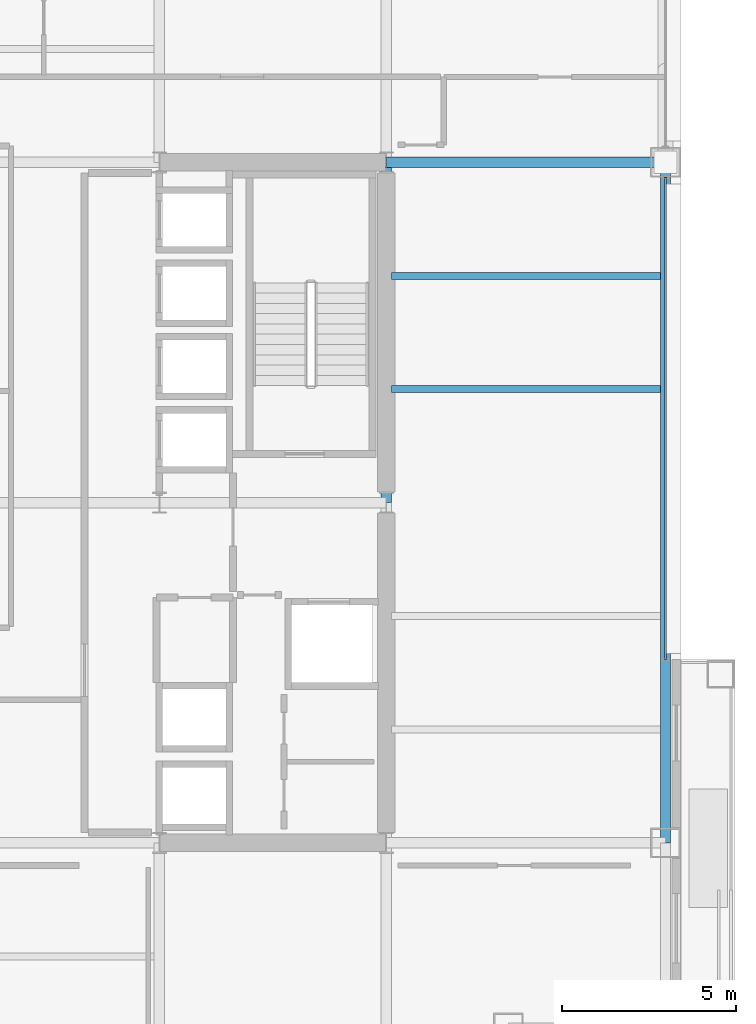
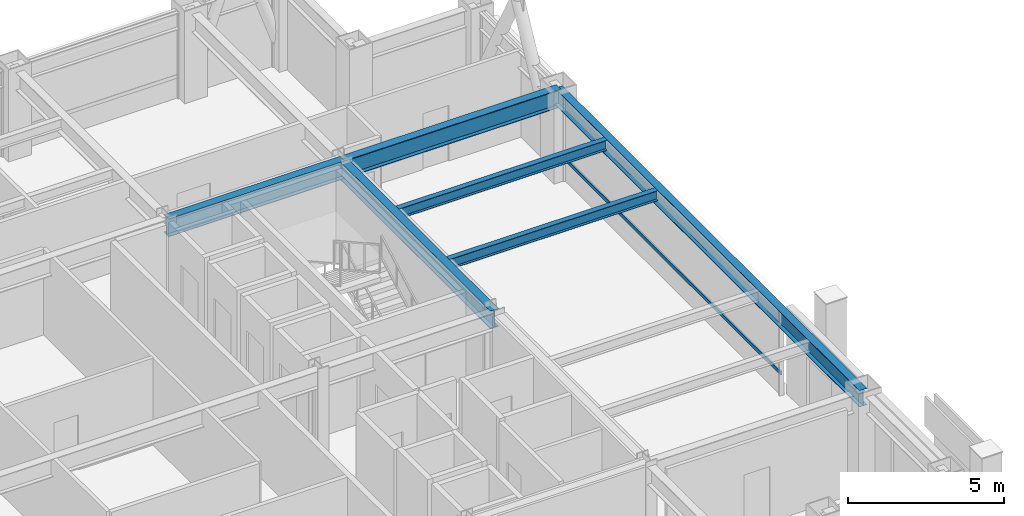
# One storey, part 17 of 34: 6 beams, 1 member, 1 element without a shape of its own.
"""IFC4 building model written with IfcOpenShell, lengths in metres."""

from ifc_helpers import new_model, si_unit, direction, frame, origin, origin_2d, place, context, subcontext, project, spatial, hollow_rectangle, i_section, extrude, material, layer, layer_set, material_profile, profile_set, type_object, element, aggregate, save


model = new_model("IFC4")

# Units and contexts
model_context = context("Model", 3, precision=1e-05, world=origin(), true_north=direction((0.0, 1.0)))
body_context = subcontext(model_context, "Body", "Model", "MODEL_VIEW")
ifc_project = project(units=[si_unit("LENGTHUNIT", "METRE"), si_unit("AREAUNIT", "SQUARE_METRE"), si_unit("VOLUMEUNIT", "CUBIC_METRE"), si_unit("PLANEANGLEUNIT", "RADIAN"), si_unit("MASSUNIT", "GRAM", prefix="KILO")], contexts=[model_context])

# Site, building, storey
site_placement = place(None, origin())
site = spatial("IfcSite", under=ifc_project, at=site_placement, CompositionType="ELEMENT")
building_placement = place(site_placement, origin())
building = spatial("IfcBuilding", under=site, at=building_placement, Name="Brelmoor Portico Tower", CompositionType="ELEMENT")
storey_placement = place(building_placement, frame((0.0, 0.0, 99.0)))
storey = spatial("IfcBuildingStorey", under=building, at=storey_placement, Name="L25", CompositionType="ELEMENT", Elevation=99.0)

# Beams
ifc_material_1 = material(Name="Steel Q355B", Category="steel")
ifc_material_profile_1 = material_profile(ifc_material_1, i_section(OverallWidth=0.199951171875, OverallDepth=0.39990234375, WebThickness=0.008056640625, FlangeThickness=0.012939453125, at=origin_2d()), Name="HN 400x200x8x13")
ifc_profile_set_1 = profile_set([ifc_material_profile_1], Name="Steel Q355B")
beam_type_1 = type_object("IfcBeamType", Name="BM-JS-400", PredefinedType="JOIST", material=ifc_profile_set_1)
for number, where, z_axis, x_axis, name in (
    (1, (14.699951171875, 3.25, 3.199951171875), (1.0, 0.0, 0.0), (0.0, 1.0, 0.0), "L25 Secondary Wing Joist JS-E11"),
    (2, (14.699951171875, 6.5, 3.199951171875), (1.0, 0.0, 0.0), (0.0, 1.0, 0.0), "L25 Secondary Wing Joist JS-E12"),
):
    element("IfcBeam", number, at=place(storey_placement, frame(where, z_axis=z_axis, x_axis=x_axis)), inside=storey, type_object=beam_type_1, Name=name, PredefinedType="JOIST", context=body_context, shape_type="SweptSolid", body=[
        extrude(i_section(OverallWidth=0.199951171875, OverallDepth=0.39990234375, WebThickness=0.008056640625, FlangeThickness=0.012939453125, at=origin_2d()), origin(), (0.0, 0.0, 1.0), 7.7099609375),
    ])
ifc_material_profile_2 = material_profile(ifc_material_1, i_section(OverallWidth=0.300048828125, OverallDepth=0.699951171875, WebThickness=0.012939453125, FlangeThickness=0.02392578125, at=origin_2d()), Name="HN 700x300x13x24")
ifc_profile_set_2 = profile_set([ifc_material_profile_2], Name="Steel Q355B")
beam_type_2 = type_object("IfcBeamType", Name="BM-PG-700", PredefinedType="BEAM", material=ifc_profile_set_2)
beam_1_placement = place(storey_placement, frame((14.550048828125, 0.0, 3.050048828125), z_axis=(0.0, 1.0, 0.0), x_axis=(-1.0, 0.0, 0.0)))
element("IfcBeam", 3, at=beam_1_placement, inside=storey, type_object=beam_type_2, Name="L25 Primary Floor Girder PG-12", PredefinedType="BEAM", context=body_context, shape_type="SweptSolid", body=[
    extrude(i_section(OverallWidth=0.300048828125, OverallDepth=0.699951171875, WebThickness=0.012939453125, FlangeThickness=0.02392578125, at=origin_2d()), origin(), (0.0, 0.0, 1.0), 9.75),
])
beam_2_placement = place(storey_placement, frame((8.050048828125, 9.75, 3.050048828125), z_axis=(1.0, 0.0, 0.0), x_axis=(0.0, 1.0, 0.0)))
element("IfcBeam", 4, at=beam_2_placement, inside=storey, type_object=beam_type_2, Name="L25 Primary Floor Girder PG-25", PredefinedType="BEAM", context=body_context, shape_type="SweptSolid", body=[
    extrude(i_section(OverallWidth=0.300048828125, OverallDepth=0.699951171875, WebThickness=0.012939453125, FlangeThickness=0.02392578125, at=origin_2d()), origin(), (0.0, 0.0, 1.0), 6.5),
])
beam_3_placement = place(storey_placement, frame((14.550048828125, 9.75, 3.050048828125), z_axis=(1.0, 0.0, 0.0), x_axis=(0.0, 1.0, 0.0)))
element("IfcBeam", 5, at=beam_3_placement, inside=storey, type_object=beam_type_2, Name="L25 Primary Floor Girder PG-26", PredefinedType="BEAM", context=body_context, shape_type="SweptSolid", body=[
    extrude(i_section(OverallWidth=0.300048828125, OverallDepth=0.699951171875, WebThickness=0.012939453125, FlangeThickness=0.02392578125, at=origin_2d()), origin(), (0.0, 0.0, 1.0), 8.0),
])
ifc_material_profile_3 = material_profile(ifc_material_1, i_section(OverallWidth=0.280029296875, OverallDepth=0.64990234375, WebThickness=0.012939453125, FlangeThickness=0.02197265625, at=origin_2d()), Name="HN 650x280x13x22")
ifc_profile_set_3 = profile_set([ifc_material_profile_3], Name="Steel Q355B")
beam_type_3 = type_object("IfcBeamType", Name="BM-SP-650", PredefinedType="SPANDREL", material=ifc_profile_set_3)
beam_4_placement = place(storey_placement, frame((22.550048828125, -9.75, 3.074951171875), z_axis=(0.0, 1.0, 0.0), x_axis=(-1.0, 0.0, 0.0)))
element("IfcBeam", 6, at=beam_4_placement, inside=storey, type_object=beam_type_3, Name="L25 Perimeter Spandrel Beam SP-23", PredefinedType="SPANDREL", context=body_context, shape_type="SweptSolid", body=[
    extrude(i_section(OverallWidth=0.280029296875, OverallDepth=0.64990234375, WebThickness=0.012939453125, FlangeThickness=0.02197265625, at=origin_2d()), origin(), (0.0, 0.0, 1.0), 19.5),
])

# Curtain wall, member
ifc_material_2 = material(Name="Anodised Aluminium Alloy 6063-T6", Category="aluminium")
ifc_layer = layer(ifc_material_2, 0.179931640625)
ifc_layer_set = layer_set([ifc_layer], Name="Anodised Aluminium Alloy 6063-T6")
curtain_wall_type = type_object("IfcCurtainWallType", Name="CW-TOWER-Z2", PredefinedType="NOTDEFINED", material=ifc_layer_set)
curtain_wall_placement = place(storey_placement, origin())
curtain_wall = element("IfcCurtainWall", 7, at=curtain_wall_placement, inside=storey, type_object=curtain_wall_type, Name="L25 Curtain Wall CW-L25-4R-1", PredefinedType="NOTDEFINED")
ifc_material_profile_4 = material_profile(ifc_material_2, hollow_rectangle(XDim=0.06494140625, YDim=0.139892578125, WallThickness=0.00390625, at=origin_2d()), Name="ALU TRANSOM 65x140")
ifc_profile_set_4 = profile_set([ifc_material_profile_4], Name="Anodised Aluminium Alloy 6063-T6")
member_type = type_object("IfcMemberType", Name="MB-CW-TRAN-140", PredefinedType="USERDEFINED", material=ifc_profile_set_4)
member_placement = place(storey_placement, frame((22.550048828125, -4.5, 0.85009765625), z_axis=(0.0, 1.0, 0.0), x_axis=(-1.0, 0.0, 0.0)))
member = element("IfcMember", 8, at=member_placement, type_object=member_type, Name="CW-L25-4R-1 Transom 1-00", ObjectType="TRANSOM", PredefinedType="USERDEFINED", context=body_context, shape_type="SweptSolid", body=[
    extrude(hollow_rectangle(XDim=0.06494140625, YDim=0.139892578125, WallThickness=0.00390625, at=origin_2d()), origin(), (0.0, 0.0, 1.0), 13.81494140625),
])
aggregate(curtain_wall, [member])

save(model, "model.ifc")
